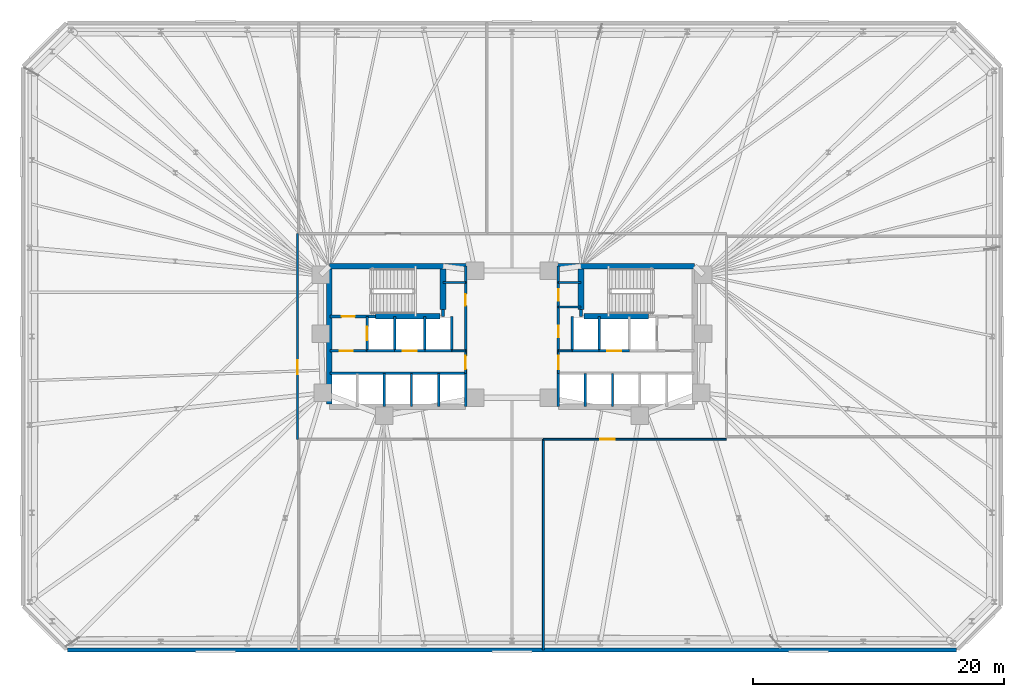
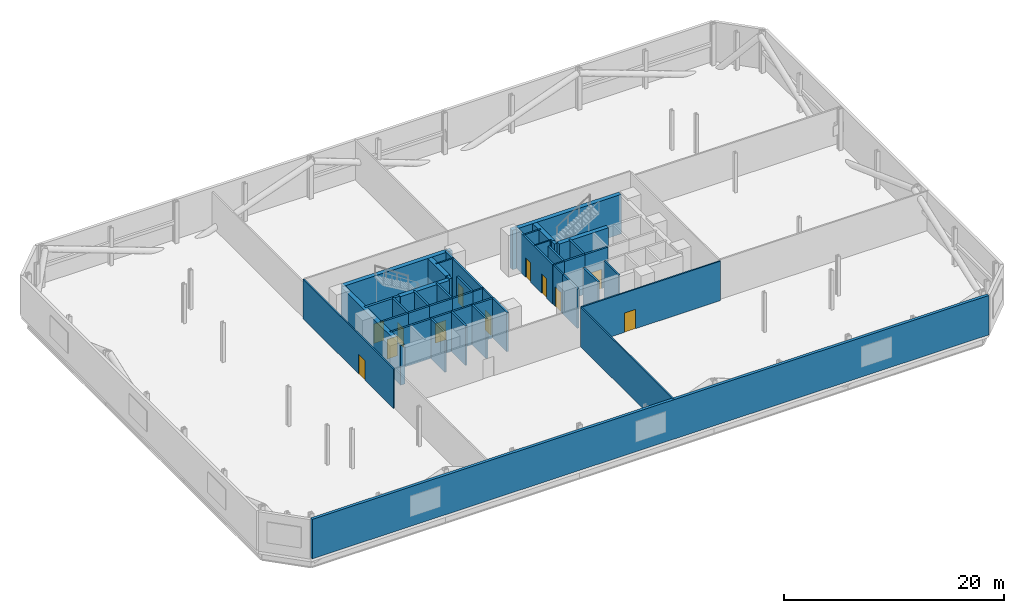
# One storey, part 14 of 17: 43 walls, 12 doors, 12 openings.
"""IFC4 building model written with IfcOpenShell, lengths in metres."""

from ifc_helpers import new_model, si_unit, direction, frame, frame_2d, origin, place, context, subcontext, project, spatial, rectangle, extrude, material, layer, layer_set, type_object, element, fill, save


model = new_model("IFC4")

# Units and contexts
model_context = context("Model", 3, precision=1e-05, world=origin(), true_north=direction((0.0, 1.0)))
body_context = subcontext(model_context, "Body", "Model", "MODEL_VIEW")
ifc_project = project(units=[si_unit("LENGTHUNIT", "METRE"), si_unit("AREAUNIT", "SQUARE_METRE"), si_unit("VOLUMEUNIT", "CUBIC_METRE"), si_unit("PLANEANGLEUNIT", "RADIAN"), si_unit("MASSUNIT", "GRAM", prefix="KILO")], contexts=[model_context])

# Site, building, storey
site_placement = place(None, origin())
site = spatial("IfcSite", under=ifc_project, at=site_placement, CompositionType="ELEMENT")
building_placement = place(site_placement, origin())
building = spatial("IfcBuilding", under=site, at=building_placement, Name="Menara Jurai Vektor", CompositionType="ELEMENT")
storey_placement = place(building_placement, frame((0.0, 0.0, 9.60009765625)))
storey = spatial("IfcBuildingStorey", under=building, at=storey_placement, Name="L01", CompositionType="ELEMENT", Elevation=9.60009765625)

# Wall
ifc_material_1 = material(Name="Insulated Pale Aluminium Spandrel Wall", Category="aluminium")
ifc_layer_1 = layer(ifc_material_1, 0.300048828125)
ifc_layer_set_1 = layer_set([ifc_layer_1], Name="Insulated Pale Aluminium Spandrel Wall")
wall_type_1 = type_object("IfcWallType", Name="ENV-WALL-EXT300", PredefinedType="STANDARD", material=ifc_layer_set_1)
wall_1_placement = place(storey_placement, frame((-35.455078125, -25.0, 0.0), z_axis=(0.0, 0.0, 1.0), x_axis=(1.0, 0.0, 0.0)))
element("IfcWall", 1, at=wall_1_placement, inside=storey, type_object=wall_type_1, Name="Plant Floor Enclosure Wall L01-01", PredefinedType="STANDARD", context=body_context, shape_type="SweptSolid", body=[
    extrude(rectangle(XDim=70.91015625, YDim=0.300048828125, at=frame_2d((35.455078125, 0.0))), origin(), (0.0, 0.0, 1.0), 4.375),
])

# Wall, opening, door
ifc_material_2 = material(Name="Concrete C40/50", Category="concrete")
ifc_layer_2 = layer(ifc_material_2, 0.25)
ifc_layer_set_2 = layer_set([ifc_layer_2], Name="Concrete C40/50")
wall_type_2 = type_object("IfcWallType", Name="INT-WALL-CORE-250", PredefinedType="STANDARD", material=ifc_layer_set_2)
wall_2_placement = place(storey_placement, frame((-14.5, 1.60009765625, 0.0), z_axis=(0.0, 0.0, 1.0), x_axis=(1.0, 0.0, 0.0)))
wall_2 = element("IfcWall", 2, at=wall_2_placement, inside=storey, type_object=wall_type_2, Name="Interior Wall IW-250 L01", PredefinedType="STANDARD", context=body_context, shape_type="SweptSolid", body=[
    extrude(rectangle(XDim=3.60009765625, YDim=0.25, at=frame_2d((1.800048828125, 0.0))), origin(), (0.0, 0.0, 1.0), 4.375),
])
opening_1_placement = place(wall_2_placement, frame((0.919921875, 0.0, 0.0)))
opening_1 = element("IfcOpeningElement", 3, at=opening_1_placement, cuts=wall_2, Name="Opening D-L01-ST1", PredefinedType="OPENING", context=body_context, shape_type="SweptSolid", body=[
    extrude(rectangle(XDim=1.050048828125, YDim=2.14990234375, at=frame_2d((0.52490234375, 1.074951171875))), frame((0.0, 0.135009765625, 0.0), z_axis=(0.0, -1.0, 0.0), x_axis=(1.0, 0.0, 0.0)), (0.0, 0.0, 1.0), 0.27001953125),
])
ifc_material_3 = material(Name="Fire-Rated Steel Door", Category="steel")
door_type_1 = type_object("IfcDoorType", Name="DR-STAIR-1050", OperationType="NOTDEFINED", PredefinedType="DOOR", material=ifc_material_3)
door_1_placement = place(opening_1_placement, origin())
door_1 = element("IfcDoor", 4, at=door_1_placement, inside=storey, type_object=door_type_1, Name="Exit Stair ST1 Door L01", OperationType="SINGLE_SWING_RIGHT", OverallHeight=2.14990234375, OverallWidth=1.050048828125, PredefinedType="DOOR", context=body_context, shape_type="SweptSolid", body=[
    extrude(rectangle(XDim=1.050048828125, YDim=2.14990234375, at=frame_2d((0.52490234375, 1.074951171875))), frame((0.0, 0.02490234375, 0.0), z_axis=(0.0, -1.0, 0.0), x_axis=(1.0, 0.0, 0.0)), (0.0, 0.0, 1.0), 0.050048828125),
])
fill(opening_1, door_1)

# Wall
wall_3_placement = place(storey_placement, frame((-5.5, 1.60009765625, 0.0), z_axis=(0.0, 0.0, 1.0), x_axis=(0.0, 1.0, 0.0)))
element("IfcWall", 5, at=wall_3_placement, inside=storey, type_object=wall_type_2, Name="Interior Wall IW-250 L01", PredefinedType="STANDARD", context=body_context, shape_type="SweptSolid", body=[
    extrude(rectangle(XDim=0.5498046875, YDim=0.25, at=frame_2d((0.27490234375, 0.0))), origin(), (0.0, 0.0, 1.0), 4.375),
])

# Wall, opening, door
wall_4_placement = place(storey_placement, frame((-11.550048828125, -1.14990234375, 0.0), z_axis=(0.0, 0.0, 1.0), x_axis=(0.0, 1.0, 0.0)))
wall_4 = element("IfcWall", 6, at=wall_4_placement, inside=storey, type_object=wall_type_2, Name="Interior Wall IW-250 L01", PredefinedType="STANDARD", context=body_context, shape_type="SweptSolid", body=[
    extrude(rectangle(XDim=2.75, YDim=0.199951171875, at=frame_2d((1.375, 0.0))), origin(), (0.0, 0.0, 1.0), 4.375),
])
opening_2_placement = place(wall_4_placement, frame((0.824951171875, 0.0, 0.0)))
opening_2 = element("IfcOpeningElement", 7, at=opening_2_placement, cuts=wall_4, Name="Opening LD-L01-FL1", PredefinedType="OPENING", context=body_context, shape_type="SweptSolid", body=[
    extrude(rectangle(XDim=1.10009765625, YDim=2.14990234375, at=frame_2d((0.550048828125, 1.074951171875))), frame((0.0, 0.10986328125, 0.0), z_axis=(0.0, -1.0, 0.0), x_axis=(1.0, 0.0, 0.0)), (0.0, 0.0, 1.0), 0.219970703125),
])
ifc_material_4 = material(Name="Stainless Steel Sliding Lift Landing Door", Category="steel")
door_type_2 = type_object("IfcDoorType", Name="DR-LIFT-FIRE-1100", OperationType="NOTDEFINED", PredefinedType="DOOR", material=ifc_material_4)
door_2_placement = place(opening_2_placement, origin())
door_2 = element("IfcDoor", 8, at=door_2_placement, inside=storey, type_object=door_type_2, Name="Lift Landing Door FL1 L01", OperationType="SLIDING_TO_RIGHT", OverallHeight=2.14990234375, OverallWidth=1.10009765625, PredefinedType="DOOR", context=body_context, shape_type="SweptSolid", body=[
    extrude(rectangle(XDim=1.10009765625, YDim=2.14990234375, at=frame_2d((0.550048828125, 1.074951171875))), frame((0.0, 0.02490234375, 0.0), z_axis=(0.0, -1.0, 0.0), x_axis=(1.0, 0.0, 0.0)), (0.0, 0.0, 1.0), 0.050048828125),
])
fill(opening_2, door_2)

# Wall
wall_5_placement = place(storey_placement, frame((-9.35009765625, -1.14990234375, 0.0), z_axis=(0.0, 0.0, 1.0), x_axis=(0.0, 1.0, 0.0)))
element("IfcWall", 9, at=wall_5_placement, inside=storey, type_object=wall_type_2, Name="Interior Wall IW-250 L01", PredefinedType="STANDARD", context=body_context, shape_type="SweptSolid", body=[
    extrude(rectangle(XDim=2.75, YDim=0.199951171875, at=frame_2d((1.375, 0.0))), origin(), (0.0, 0.0, 1.0), 4.375),
])

# Wall, opening, door
wall_6_placement = place(storey_placement, frame((-14.5, -1.14990234375, 0.0), z_axis=(0.0, 0.0, 1.0), x_axis=(1.0, 0.0, 0.0)))
wall_6 = element("IfcWall", 10, at=wall_6_placement, inside=storey, type_object=wall_type_2, Name="Interior Wall IW-250 L01", PredefinedType="STANDARD", context=body_context, shape_type="SweptSolid", body=[
    extrude(rectangle(XDim=2.949951171875, YDim=0.199951171875, at=frame_2d((1.47509765625, 0.0))), origin(), (0.0, 0.0, 1.0), 4.375),
])
opening_3_placement = place(wall_6_placement, frame((0.75, 0.0, 0.0)))
opening_3 = element("IfcOpeningElement", 11, at=opening_3_placement, cuts=wall_6, Name="Opening D-L01-FFW", PredefinedType="OPENING", context=body_context, shape_type="SweptSolid", body=[
    extrude(rectangle(XDim=1.050048828125, YDim=2.179931640625, at=frame_2d((0.52490234375, 1.08984375))), frame((0.0, 0.10986328125, 0.0), z_axis=(0.0, -1.0, 0.0), x_axis=(1.0, 0.0, 0.0)), (0.0, 0.0, 1.0), 0.219970703125),
])
ifc_material_5 = material(Name="Fire-Rated Timber Door", Category="wood")
door_type_3 = type_object("IfcDoorType", Name="DR-LOBBY-1050", OperationType="NOTDEFINED", PredefinedType="DOOR", material=ifc_material_5)
door_3_placement = place(opening_3_placement, origin())
door_3 = element("IfcDoor", 12, at=door_3_placement, inside=storey, type_object=door_type_3, Name="Fire Lift Lobby Door W L01", OperationType="SINGLE_SWING_RIGHT", OverallHeight=2.179931640625, OverallWidth=1.050048828125, PredefinedType="DOOR", context=body_context, shape_type="SweptSolid", body=[
    extrude(rectangle(XDim=1.050048828125, YDim=2.179931640625, at=frame_2d((0.52490234375, 1.08984375))), frame((0.0, 0.02490234375, 0.0), z_axis=(0.0, -1.0, 0.0), x_axis=(1.0, 0.0, 0.0)), (0.0, 0.0, 1.0), 0.050048828125),
])
fill(opening_3, door_3)

# Walls
wall_7_placement = place(storey_placement, frame((-11.550048828125, -1.14990234375, 0.0), z_axis=(0.0, 0.0, 1.0), x_axis=(1.0, 0.0, 0.0)))
element("IfcWall", 13, at=wall_7_placement, inside=storey, type_object=wall_type_2, Name="Interior Wall IW-250 L01", PredefinedType="STANDARD", context=body_context, shape_type="SweptSolid", body=[
    extrude(rectangle(XDim=2.199951171875, YDim=0.199951171875, at=frame_2d((1.10009765625, 0.0))), origin(), (0.0, 0.0, 1.0), 4.375),
])
wall_8_placement = place(storey_placement, frame((5.5, 1.60009765625, 0.0), z_axis=(0.0, 0.0, 1.0), x_axis=(0.0, 1.0, 0.0)))
element("IfcWall", 14, at=wall_8_placement, inside=storey, type_object=wall_type_2, Name="Interior Wall IW-250 L01", PredefinedType="STANDARD", context=body_context, shape_type="SweptSolid", body=[
    extrude(rectangle(XDim=0.5498046875, YDim=0.25, at=frame_2d((0.27490234375, 0.0))), origin(), (0.0, 0.0, 1.0), 4.375),
])

# Wall, opening, door
ifc_material_6 = material(Name="Gypsum Fireboard Partition", Category="gypsum")
ifc_layer_3 = layer(ifc_material_6, 0.14990234375)
ifc_layer_set_3 = layer_set([ifc_layer_3], Name="Gypsum Fireboard Partition")
wall_type_3 = type_object("IfcWallType", Name="INT-WALL-CORR-150", PredefinedType="PARTITIONING", material=ifc_layer_set_3)
wall_9_placement = place(storey_placement, frame((-3.699951171875, -2.949951171875, 0.0), z_axis=(0.0, 0.0, 1.0), x_axis=(0.0, 1.0, 0.0)))
wall_9 = element("IfcWall", 15, at=wall_9_placement, inside=storey, type_object=wall_type_3, Name="Interior Wall IW-150 L01", PredefinedType="PARTITIONING", context=body_context, shape_type="SweptSolid", body=[
    extrude(rectangle(XDim=1.800048828125, YDim=0.14990234375, at=frame_2d((0.89990234375, 0.0))), origin(), (0.0, 0.0, 1.0), 4.375),
])
opening_4_placement = place(wall_9_placement, frame((0.35009765625, 0.0, 0.0)))
opening_4 = element("IfcOpeningElement", 16, at=opening_4_placement, cuts=wall_9, Name="Opening D-L01-LLW", PredefinedType="OPENING", context=body_context, shape_type="SweptSolid", body=[
    extrude(rectangle(XDim=1.050048828125, YDim=2.179931640625, at=frame_2d((0.52490234375, 1.08984375))), frame((0.0, 0.0849609375, 0.0), z_axis=(0.0, -1.0, 0.0), x_axis=(1.0, 0.0, 0.0)), (0.0, 0.0, 1.0), 0.169921875),
])
door_4_placement = place(opening_4_placement, origin())
door_4 = element("IfcDoor", 17, at=door_4_placement, inside=storey, type_object=door_type_3, Name="Lift Lobby Corridor Door W L01", OperationType="SINGLE_SWING_LEFT", OverallHeight=2.179931640625, OverallWidth=1.050048828125, PredefinedType="DOOR", context=body_context, shape_type="SweptSolid", body=[
    extrude(rectangle(XDim=1.050048828125, YDim=2.179931640625, at=frame_2d((0.52490234375, 1.08984375))), frame((0.0, 0.02490234375, 0.0), z_axis=(0.0, -1.0, 0.0), x_axis=(1.0, 0.0, 0.0)), (0.0, 0.0, 1.0), 0.050048828125),
])
fill(opening_4, door_4)

# Wall
wall_10_placement = place(storey_placement, frame((-4.7900390625, -1.14990234375, 0.0), z_axis=(0.0, 0.0, 1.0), x_axis=(1.0, 0.0, 0.0)))
element("IfcWall", 18, at=wall_10_placement, inside=storey, type_object=wall_type_3, Name="Interior Wall IW-150 L01", PredefinedType="PARTITIONING", context=body_context, shape_type="SweptSolid", body=[
    extrude(rectangle(XDim=1.090087890625, YDim=0.14990234375, at=frame_2d((0.544921875, 0.0))), origin(), (0.0, 0.0, 1.0), 4.375),
])

# Wall, opening, door
wall_11_placement = place(storey_placement, frame((3.699951171875, -2.949951171875, 0.0), z_axis=(0.0, 0.0, 1.0), x_axis=(0.0, 1.0, 0.0)))
wall_11 = element("IfcWall", 19, at=wall_11_placement, inside=storey, type_object=wall_type_3, Name="Interior Wall IW-150 L01", PredefinedType="PARTITIONING", context=body_context, shape_type="SweptSolid", body=[
    extrude(rectangle(XDim=1.800048828125, YDim=0.14990234375, at=frame_2d((0.89990234375, 0.0))), origin(), (0.0, 0.0, 1.0), 4.375),
])
opening_5_placement = place(wall_11_placement, frame((0.35009765625, 0.0, 0.0)))
opening_5 = element("IfcOpeningElement", 20, at=opening_5_placement, cuts=wall_11, Name="Opening D-L01-LLE", PredefinedType="OPENING", context=body_context, shape_type="SweptSolid", body=[
    extrude(rectangle(XDim=1.050048828125, YDim=2.179931640625, at=frame_2d((0.52490234375, 1.08984375))), frame((0.0, 0.0849609375, 0.0), z_axis=(0.0, -1.0, 0.0), x_axis=(1.0, 0.0, 0.0)), (0.0, 0.0, 1.0), 0.169921875),
])
door_5_placement = place(opening_5_placement, frame((1.050048828125, 0.0, 0.0), z_axis=(0.0, 0.0, 1.0), x_axis=(-1.0, 0.0, 0.0)))
door_5 = element("IfcDoor", 21, at=door_5_placement, inside=storey, type_object=door_type_3, Name="Lift Lobby Corridor Door E L01", OperationType="SINGLE_SWING_RIGHT", OverallHeight=2.179931640625, OverallWidth=1.050048828125, PredefinedType="DOOR", context=body_context, shape_type="SweptSolid", body=[
    extrude(rectangle(XDim=1.050048828125, YDim=2.179931640625, at=frame_2d((0.52490234375, 1.08984375))), frame((0.0, 0.02490234375, 0.0), z_axis=(0.0, -1.0, 0.0), x_axis=(1.0, 0.0, 0.0)), (0.0, 0.0, 1.0), 0.050048828125),
])
fill(opening_5, door_5)

# Walls
wall_12_placement = place(storey_placement, frame((3.699951171875, -1.14990234375, 0.0), z_axis=(0.0, 0.0, 1.0), x_axis=(1.0, 0.0, 0.0)))
element("IfcWall", 22, at=wall_12_placement, inside=storey, type_object=wall_type_3, Name="Interior Wall IW-150 L01", PredefinedType="PARTITIONING", context=body_context, shape_type="SweptSolid", body=[
    extrude(rectangle(XDim=1.090087890625, YDim=0.14990234375, at=frame_2d((0.544921875, 0.0))), origin(), (0.0, 0.0, 1.0), 4.375),
])
for number, where, z_axis, x_axis, name in (
    (23, (-5.5, 4.300048828125, 0.0), (0.0, 0.0, 1.0), (1.0, 0.0, 0.0), "Interior Wall IW-150 L01"),
    (24, (3.699951171875, 4.300048828125, 0.0), (0.0, 0.0, 1.0), (1.0, 0.0, 0.0), "Interior Wall IW-150 L01"),
    (25, (3.699951171875, 2.35009765625, 0.0), (0.0, 0.0, 1.0), (1.0, 0.0, 0.0), "Interior Wall IW-150 L01"),
):
    element("IfcWall", number, at=place(storey_placement, frame(where, z_axis=z_axis, x_axis=x_axis)), inside=storey, type_object=wall_type_3, Name=name, PredefinedType="PARTITIONING", context=body_context, shape_type="SweptSolid", body=[
        extrude(rectangle(XDim=1.800048828125, YDim=0.14990234375, at=frame_2d((0.89990234375, 0.0))), origin(), (0.0, 0.0, 1.0), 4.375),
    ])

# Wall, opening, door
wall_13_placement = place(storey_placement, frame((2.5, -8.199951171875, 0.0), z_axis=(0.0, 0.0, 1.0), x_axis=(1.0, 0.0, 0.0)))
wall_13 = element("IfcWall", 26, at=wall_13_placement, inside=storey, type_object=wall_type_3, Name="Interior Wall IW-150 L01", PredefinedType="PARTITIONING", context=body_context, shape_type="SweptSolid", body=[
    extrude(rectangle(XDim=14.60009765625, YDim=0.14990234375, at=frame_2d((7.300048828125, 0.0))), origin(), (0.0, 0.0, 1.0), 4.375),
])
opening_6_placement = place(wall_13_placement, frame((4.534912109375, 0.0, 0.0)))
opening_6 = element("IfcOpeningElement", 27, at=opening_6_placement, cuts=wall_13, Name="Opening D01-07", PredefinedType="OPENING", context=body_context, shape_type="SweptSolid", body=[
    extrude(rectangle(XDim=1.14990234375, YDim=2.14990234375, at=frame_2d((0.574951171875, 1.074951171875))), frame((0.0, 0.0849609375, 0.0), z_axis=(0.0, -1.0, 0.0), x_axis=(1.0, 0.0, 0.0)), (0.0, 0.0, 1.0), 0.169921875),
])
ifc_material_7 = material(Name="Fire-Rated Steel Plant Door", Category="steel")
door_type_4 = type_object("IfcDoorType", Name="DR-PLANT-1150", OperationType="NOTDEFINED", PredefinedType="DOOR", material=ifc_material_7)
door_6_placement = place(opening_6_placement, origin())
door_6 = element("IfcDoor", 28, at=door_6_placement, inside=storey, type_object=door_type_4, Name="Interior Door D01-07", OperationType="SINGLE_SWING_RIGHT", OverallHeight=2.14990234375, OverallWidth=1.14990234375, PredefinedType="DOOR", context=body_context, shape_type="SweptSolid", body=[
    extrude(rectangle(XDim=1.14990234375, YDim=2.14990234375, at=frame_2d((0.574951171875, 1.074951171875))), frame((0.0, 0.02490234375, 0.0), z_axis=(0.0, -1.0, 0.0), x_axis=(1.0, 0.0, 0.0)), (0.0, 0.0, 1.0), 0.050048828125),
])
fill(opening_6, door_6)

wall_14_placement = place(storey_placement, frame((-17.10009765625, -8.199951171875, 0.0), z_axis=(0.0, 0.0, 1.0), x_axis=(0.0, 1.0, 0.0)))
wall_14 = element("IfcWall", 29, at=wall_14_placement, inside=storey, type_object=wall_type_3, Name="Interior Wall IW-150 L01", PredefinedType="PARTITIONING", context=body_context, shape_type="SweptSolid", body=[
    extrude(rectangle(XDim=16.39990234375, YDim=0.14990234375, at=frame_2d((8.199951171875, 0.0))), origin(), (0.0, 0.0, 1.0), 4.375),
])
opening_7_placement = place(wall_14_placement, frame((5.1650390625, 0.0, 0.0)))
opening_7 = element("IfcOpeningElement", 30, at=opening_7_placement, cuts=wall_14, Name="Opening D01-08", PredefinedType="OPENING", context=body_context, shape_type="SweptSolid", body=[
    extrude(rectangle(XDim=1.14990234375, YDim=2.14990234375, at=frame_2d((0.574951171875, 1.074951171875))), frame((0.0, 0.0849609375, 0.0), z_axis=(0.0, -1.0, 0.0), x_axis=(1.0, 0.0, 0.0)), (0.0, 0.0, 1.0), 0.169921875),
])
door_7_placement = place(opening_7_placement, origin())
door_7 = element("IfcDoor", 31, at=door_7_placement, inside=storey, type_object=door_type_4, Name="Interior Door D01-08", OperationType="SINGLE_SWING_LEFT", OverallHeight=2.14990234375, OverallWidth=1.14990234375, PredefinedType="DOOR", context=body_context, shape_type="SweptSolid", body=[
    extrude(rectangle(XDim=1.14990234375, YDim=2.14990234375, at=frame_2d((0.574951171875, 1.074951171875))), frame((0.0, 0.02490234375, 0.0), z_axis=(0.0, -1.0, 0.0), x_axis=(1.0, 0.0, 0.0)), (0.0, 0.0, 1.0), 0.050048828125),
])
fill(opening_7, door_7)

# Wall
wall_15_placement = place(storey_placement, frame((2.5, -25.0, 0.0), z_axis=(0.0, 0.0, 1.0), x_axis=(0.0, 1.0, 0.0)))
element("IfcWall", 32, at=wall_15_placement, inside=storey, type_object=wall_type_3, Name="Interior Wall IW-150 L01", PredefinedType="PARTITIONING", context=body_context, shape_type="SweptSolid", body=[
    extrude(rectangle(XDim=16.800048828125, YDim=0.14990234375, at=frame_2d((8.39990234375, 0.0))), origin(), (0.0, 0.0, 1.0), 4.375),
])

# Wall, opening, door
ifc_layer_4 = layer(ifc_material_2, 0.199951171875)
ifc_layer_set_4 = layer_set([ifc_layer_4], Name="Concrete C40/50")
wall_type_4 = type_object("IfcWallType", Name="INT-WALL-SHAFT-200", PredefinedType="STANDARD", material=ifc_layer_set_4)
wall_16_placement = place(storey_placement, frame((-3.699951171875, -1.14990234375, 0.0), z_axis=(0.0, 0.0, 1.0), x_axis=(0.0, 1.0, 0.0)))
wall_16 = element("IfcWall", 33, at=wall_16_placement, inside=storey, type_object=wall_type_4, Name="Interior Wall IW-200 L01", PredefinedType="STANDARD", context=body_context, shape_type="SweptSolid", body=[
    extrude(rectangle(XDim=6.75, YDim=0.199951171875, at=frame_2d((3.375, 0.0))), origin(), (0.0, 0.0, 1.0), 4.375),
])
opening_8_placement = place(wall_16_placement, frame((3.60009765625, 0.0, 0.0)))
opening_8 = element("IfcOpeningElement", 34, at=opening_8_placement, cuts=wall_16, Name="Opening D01-01", PredefinedType="OPENING", context=body_context, shape_type="SweptSolid", body=[
    extrude(rectangle(XDim=0.919921875, YDim=2.14990234375, at=frame_2d((0.4599609375, 1.074951171875))), frame((0.0, 0.10986328125, 0.0), z_axis=(0.0, -1.0, 0.0), x_axis=(1.0, 0.0, 0.0)), (0.0, 0.0, 1.0), 0.219970703125),
])
ifc_material_8 = material(Name="Solid Core Timber Fire Door", Category="wood")
door_type_5 = type_object("IfcDoorType", Name="DR-ENTRY-950", OperationType="NOTDEFINED", PredefinedType="DOOR", material=ifc_material_8)
door_8_placement = place(opening_8_placement, origin())
door_8 = element("IfcDoor", 35, at=door_8_placement, inside=storey, type_object=door_type_5, Name="Interior Door D01-01", OperationType="SINGLE_SWING_LEFT", OverallHeight=2.14990234375, OverallWidth=0.919921875, PredefinedType="DOOR", context=body_context, shape_type="SweptSolid", body=[
    extrude(rectangle(XDim=0.919921875, YDim=2.14990234375, at=frame_2d((0.4599609375, 1.074951171875))), frame((0.0, 0.02490234375, 0.0), z_axis=(0.0, -1.0, 0.0), x_axis=(1.0, 0.0, 0.0)), (0.0, 0.0, 1.0), 0.050048828125),
])
fill(opening_8, door_8)

# Walls
wall_17_placement = place(storey_placement, frame((-3.699951171875, -5.60009765625, 0.0), z_axis=(0.0, 0.0, 1.0), x_axis=(0.0, 1.0, 0.0)))
element("IfcWall", 36, at=wall_17_placement, inside=storey, type_object=wall_type_4, Name="Interior Wall IW-200 L01", PredefinedType="STANDARD", context=body_context, shape_type="SweptSolid", body=[
    extrude(rectangle(XDim=2.650146484375, YDim=0.199951171875, at=frame_2d((1.3251953125, 0.0))), origin(), (0.0, 0.0, 1.0), 4.375),
])
wall_18_placement = place(storey_placement, frame((-6.949951171875, -1.14990234375, 0.0), z_axis=(0.0, 0.0, 1.0), x_axis=(0.0, 1.0, 0.0)))
element("IfcWall", 37, at=wall_18_placement, inside=storey, type_object=wall_type_4, Name="Interior Wall IW-200 L01", PredefinedType="STANDARD", context=body_context, shape_type="SweptSolid", body=[
    extrude(rectangle(XDim=2.75, YDim=0.199951171875, at=frame_2d((1.375, 0.0))), origin(), (0.0, 0.0, 1.0), 4.375),
])

# Wall, opening, door
wall_19_placement = place(storey_placement, frame((-9.35009765625, -1.14990234375, 0.0), z_axis=(0.0, 0.0, 1.0), x_axis=(1.0, 0.0, 0.0)))
wall_19 = element("IfcWall", 38, at=wall_19_placement, inside=storey, type_object=wall_type_4, Name="Interior Wall IW-200 L01", PredefinedType="STANDARD", context=body_context, shape_type="SweptSolid", body=[
    extrude(rectangle(XDim=2.400146484375, YDim=0.199951171875, at=frame_2d((1.2001953125, 0.0))), origin(), (0.0, 0.0, 1.0), 4.375),
])
opening_9_placement = place(wall_19_placement, frame((0.64990234375, 0.0, 0.0)))
opening_9 = element("IfcOpeningElement", 39, at=opening_9_placement, cuts=wall_19, Name="Opening LD-L01-SVL1", PredefinedType="OPENING", context=body_context, shape_type="SweptSolid", body=[
    extrude(rectangle(XDim=1.10009765625, YDim=2.14990234375, at=frame_2d((0.550048828125, 1.074951171875))), frame((0.0, 0.10986328125, 0.0), z_axis=(0.0, -1.0, 0.0), x_axis=(1.0, 0.0, 0.0)), (0.0, 0.0, 1.0), 0.219970703125),
])
ifc_material_9 = material(Name="Anodised Stainless Sliding Lift Landing Door", Category="steel")
door_type_6 = type_object("IfcDoorType", Name="DR-LIFT-PASS-1100", OperationType="NOTDEFINED", PredefinedType="DOOR", material=ifc_material_9)
door_9_placement = place(opening_9_placement, origin())
door_9 = element("IfcDoor", 40, at=door_9_placement, inside=storey, type_object=door_type_6, Name="Lift Landing Door SVL1 L01", OperationType="SLIDING_TO_RIGHT", OverallHeight=2.14990234375, OverallWidth=1.10009765625, PredefinedType="DOOR", context=body_context, shape_type="SweptSolid", body=[
    extrude(rectangle(XDim=1.10009765625, YDim=2.14990234375, at=frame_2d((0.550048828125, 1.074951171875))), frame((0.0, 0.02490234375, 0.0), z_axis=(0.0, -1.0, 0.0), x_axis=(1.0, 0.0, 0.0)), (0.0, 0.0, 1.0), 0.050048828125),
])
fill(opening_9, door_9)

# Walls
wall_20_placement = place(storey_placement, frame((-4.7900390625, -1.14990234375, 0.0), z_axis=(0.0, 0.0, 1.0), x_axis=(0.0, 1.0, 0.0)))
element("IfcWall", 41, at=wall_20_placement, inside=storey, type_object=wall_type_4, Name="Interior Wall IW-200 L01", PredefinedType="STANDARD", context=body_context, shape_type="SweptSolid", body=[
    extrude(rectangle(XDim=2.75, YDim=0.199951171875, at=frame_2d((1.375, 0.0))), origin(), (0.0, 0.0, 1.0), 4.375),
])
wall_21_placement = place(storey_placement, frame((-6.949951171875, -1.14990234375, 0.0), z_axis=(0.0, 0.0, 1.0), x_axis=(1.0, 0.0, 0.0)))
element("IfcWall", 42, at=wall_21_placement, inside=storey, type_object=wall_type_4, Name="Interior Wall IW-200 L01", PredefinedType="STANDARD", context=body_context, shape_type="SweptSolid", body=[
    extrude(rectangle(XDim=2.159912109375, YDim=0.199951171875, at=frame_2d((1.080078125, 0.0))), origin(), (0.0, 0.0, 1.0), 4.375),
])
wall_22_placement = place(storey_placement, frame((-14.5, -2.949951171875, 0.0), z_axis=(0.0, 0.0, 1.0), x_axis=(1.0, 0.0, 0.0)))
element("IfcWall", 43, at=wall_22_placement, inside=storey, type_object=wall_type_4, Name="Interior Wall IW-200 L01", PredefinedType="STANDARD", context=body_context, shape_type="SweptSolid", body=[
    extrude(rectangle(XDim=10.800048828125, YDim=0.199951171875, at=frame_2d((5.39990234375, 0.0))), origin(), (0.0, 0.0, 1.0), 4.375),
])
wall_23_placement = place(storey_placement, frame((-5.860107421875, -5.60009765625, 0.0), z_axis=(0.0, 0.0, 1.0), x_axis=(0.0, 1.0, 0.0)))
element("IfcWall", 44, at=wall_23_placement, inside=storey, type_object=wall_type_4, Name="Interior Wall IW-200 L01", PredefinedType="STANDARD", context=body_context, shape_type="SweptSolid", body=[
    extrude(rectangle(XDim=2.650146484375, YDim=0.199951171875, at=frame_2d((1.3251953125, 0.0))), origin(), (0.0, 0.0, 1.0), 4.375),
])
for number, where, z_axis, x_axis, name in (
    (45, (-10.179931640625, -5.60009765625, 0.0), (0.0, 0.0, 1.0), (0.0, 1.0, 0.0), "Interior Wall IW-200 L01"),
    (46, (-8.02001953125, -5.60009765625, 0.0), (0.0, 0.0, 1.0), (0.0, 1.0, 0.0), "Interior Wall IW-200 L01"),
):
    element("IfcWall", number, at=place(storey_placement, frame(where, z_axis=z_axis, x_axis=x_axis)), inside=storey, type_object=wall_type_4, Name=name, PredefinedType="STANDARD", context=body_context, shape_type="SweptSolid", body=[
        extrude(rectangle(XDim=2.650146484375, YDim=0.179931640625, at=frame_2d((1.3251953125, 0.0))), origin(), (0.0, 0.0, 1.0), 4.375),
    ])

# Wall, openings, doors
wall_24_placement = place(storey_placement, frame((3.699951171875, -1.14990234375, 0.0), z_axis=(0.0, 0.0, 1.0), x_axis=(0.0, 1.0, 0.0)))
wall_24 = element("IfcWall", 47, at=wall_24_placement, inside=storey, type_object=wall_type_4, Name="Interior Wall IW-200 L01", PredefinedType="STANDARD", context=body_context, shape_type="SweptSolid", body=[
    extrude(rectangle(XDim=6.75, YDim=0.199951171875, at=frame_2d((3.375, 0.0))), origin(), (0.0, 0.0, 1.0), 4.375),
])
opening_10_placement = place(wall_24_placement, frame((1.10009765625, 0.0, 0.0)))
opening_10 = element("IfcOpeningElement", 48, at=opening_10_placement, cuts=wall_24, Name="Opening D01-02", PredefinedType="OPENING", context=body_context, shape_type="SweptSolid", body=[
    extrude(rectangle(XDim=0.89990234375, YDim=2.14990234375, at=frame_2d((0.449951171875, 1.074951171875))), frame((0.0, 0.10986328125, 0.0), z_axis=(0.0, -1.0, 0.0), x_axis=(1.0, 0.0, 0.0)), (0.0, 0.0, 1.0), 0.219970703125),
])
opening_11_placement = place(wall_24_placement, frame((4.0, 0.0, 0.0)))
opening_11 = element("IfcOpeningElement", 49, at=opening_11_placement, cuts=wall_24, Name="Opening D01-03", PredefinedType="OPENING", context=body_context, shape_type="SweptSolid", body=[
    extrude(rectangle(XDim=0.919921875, YDim=2.14990234375, at=frame_2d((0.4599609375, 1.074951171875))), frame((0.0, 0.10986328125, 0.0), z_axis=(0.0, -1.0, 0.0), x_axis=(1.0, 0.0, 0.0)), (0.0, 0.0, 1.0), 0.219970703125),
])
door_10_placement = place(opening_10_placement, origin())
door_10 = element("IfcDoor", 50, at=door_10_placement, inside=storey, type_object=door_type_5, Name="Interior Door D01-02", OperationType="SINGLE_SWING_RIGHT", OverallHeight=2.14990234375, OverallWidth=0.89990234375, PredefinedType="DOOR", context=body_context, shape_type="SweptSolid", body=[
    extrude(rectangle(XDim=0.89990234375, YDim=2.14990234375, at=frame_2d((0.449951171875, 1.074951171875))), frame((0.0, 0.02490234375, 0.0), z_axis=(0.0, -1.0, 0.0), x_axis=(1.0, 0.0, 0.0)), (0.0, 0.0, 1.0), 0.050048828125),
])
fill(opening_10, door_10)
door_11_placement = place(opening_11_placement, origin())
door_11 = element("IfcDoor", 51, at=door_11_placement, inside=storey, type_object=door_type_5, Name="Interior Door D01-03", OperationType="SINGLE_SWING_RIGHT", OverallHeight=2.14990234375, OverallWidth=0.919921875, PredefinedType="DOOR", context=body_context, shape_type="SweptSolid", body=[
    extrude(rectangle(XDim=0.919921875, YDim=2.14990234375, at=frame_2d((0.4599609375, 1.074951171875))), frame((0.0, 0.02490234375, 0.0), z_axis=(0.0, -1.0, 0.0), x_axis=(1.0, 0.0, 0.0)), (0.0, 0.0, 1.0), 0.050048828125),
])
fill(opening_11, door_11)

# Walls
wall_25_placement = place(storey_placement, frame((3.699951171875, -5.60009765625, 0.0), z_axis=(0.0, 0.0, 1.0), x_axis=(0.0, 1.0, 0.0)))
element("IfcWall", 52, at=wall_25_placement, inside=storey, type_object=wall_type_4, Name="Interior Wall IW-200 L01", PredefinedType="STANDARD", context=body_context, shape_type="SweptSolid", body=[
    extrude(rectangle(XDim=2.650146484375, YDim=0.199951171875, at=frame_2d((1.3251953125, 0.0))), origin(), (0.0, 0.0, 1.0), 4.375),
])
wall_26_placement = place(storey_placement, frame((6.949951171875, -1.14990234375, 0.0), z_axis=(0.0, 0.0, 1.0), x_axis=(0.0, 1.0, 0.0)))
element("IfcWall", 53, at=wall_26_placement, inside=storey, type_object=wall_type_4, Name="Interior Wall IW-200 L01", PredefinedType="STANDARD", context=body_context, shape_type="SweptSolid", body=[
    extrude(rectangle(XDim=2.75, YDim=0.199951171875, at=frame_2d((1.375, 0.0))), origin(), (0.0, 0.0, 1.0), 4.375),
])

# Wall, opening, door
wall_27_placement = place(storey_placement, frame((6.949951171875, -1.14990234375, 0.0), z_axis=(0.0, 0.0, 1.0), x_axis=(1.0, 0.0, 0.0)))
wall_27 = element("IfcWall", 54, at=wall_27_placement, inside=storey, type_object=wall_type_4, Name="Interior Wall IW-200 L01", PredefinedType="STANDARD", context=body_context, shape_type="SweptSolid", body=[
    extrude(rectangle(XDim=2.400146484375, YDim=0.199951171875, at=frame_2d((1.2001953125, 0.0))), origin(), (0.0, 0.0, 1.0), 4.375),
])
opening_12_placement = place(wall_27_placement, frame((0.64990234375, 0.0, 0.0)))
opening_12 = element("IfcOpeningElement", 55, at=opening_12_placement, cuts=wall_27, Name="Opening LD-L01-SVL2", PredefinedType="OPENING", context=body_context, shape_type="SweptSolid", body=[
    extrude(rectangle(XDim=1.10009765625, YDim=2.14990234375, at=frame_2d((0.550048828125, 1.074951171875))), frame((0.0, 0.10986328125, 0.0), z_axis=(0.0, -1.0, 0.0), x_axis=(1.0, 0.0, 0.0)), (0.0, 0.0, 1.0), 0.219970703125),
])
door_12_placement = place(opening_12_placement, origin())
door_12 = element("IfcDoor", 56, at=door_12_placement, inside=storey, type_object=door_type_6, Name="Lift Landing Door SVL2 L01", OperationType="SLIDING_TO_RIGHT", OverallHeight=2.14990234375, OverallWidth=1.10009765625, PredefinedType="DOOR", context=body_context, shape_type="SweptSolid", body=[
    extrude(rectangle(XDim=1.10009765625, YDim=2.14990234375, at=frame_2d((0.550048828125, 1.074951171875))), frame((0.0, 0.02490234375, 0.0), z_axis=(0.0, -1.0, 0.0), x_axis=(1.0, 0.0, 0.0)), (0.0, 0.0, 1.0), 0.050048828125),
])
fill(opening_12, door_12)

# Walls
wall_28_placement = place(storey_placement, frame((4.7900390625, -1.14990234375, 0.0), z_axis=(0.0, 0.0, 1.0), x_axis=(0.0, 1.0, 0.0)))
element("IfcWall", 57, at=wall_28_placement, inside=storey, type_object=wall_type_4, Name="Interior Wall IW-200 L01", PredefinedType="STANDARD", context=body_context, shape_type="SweptSolid", body=[
    extrude(rectangle(XDim=2.75, YDim=0.199951171875, at=frame_2d((1.375, 0.0))), origin(), (0.0, 0.0, 1.0), 4.375),
])
wall_29_placement = place(storey_placement, frame((4.7900390625, -1.14990234375, 0.0), z_axis=(0.0, 0.0, 1.0), x_axis=(1.0, 0.0, 0.0)))
element("IfcWall", 58, at=wall_29_placement, inside=storey, type_object=wall_type_4, Name="Interior Wall IW-200 L01", PredefinedType="STANDARD", context=body_context, shape_type="SweptSolid", body=[
    extrude(rectangle(XDim=2.159912109375, YDim=0.199951171875, at=frame_2d((1.080078125, 0.0))), origin(), (0.0, 0.0, 1.0), 4.375),
])
wall_30_placement = place(storey_placement, frame((5.860107421875, -5.60009765625, 0.0), z_axis=(0.0, 0.0, 1.0), x_axis=(0.0, 1.0, 0.0)))
element("IfcWall", 59, at=wall_30_placement, inside=storey, type_object=wall_type_4, Name="Interior Wall IW-200 L01", PredefinedType="STANDARD", context=body_context, shape_type="SweptSolid", body=[
    extrude(rectangle(XDim=2.650146484375, YDim=0.199951171875, at=frame_2d((1.3251953125, 0.0))), origin(), (0.0, 0.0, 1.0), 4.375),
])
wall_31_placement = place(storey_placement, frame((8.02001953125, -5.60009765625, 0.0), z_axis=(0.0, 0.0, 1.0), x_axis=(0.0, 1.0, 0.0)))
element("IfcWall", 60, at=wall_31_placement, inside=storey, type_object=wall_type_4, Name="Interior Wall IW-200 L01", PredefinedType="STANDARD", context=body_context, shape_type="SweptSolid", body=[
    extrude(rectangle(XDim=2.650146484375, YDim=0.179931640625, at=frame_2d((1.3251953125, 0.0))), origin(), (0.0, 0.0, 1.0), 4.375),
])
ifc_material_10 = material(Name="Concrete C60/75", Category="concrete")
ifc_layer_5 = layer(ifc_material_10, 0.449951171875)
ifc_layer_set_5 = layer_set([ifc_layer_5], Name="Concrete C60/75")
wall_type_5 = type_object("IfcWallType", Name="STR-WALL-CORE450", PredefinedType="SHEAR", material=ifc_layer_set_5)
wall_32_placement = place(storey_placement, frame((-14.56005859375, 5.60009765625, 0.0), z_axis=(0.0, 0.0, 1.0), x_axis=(1.0, 0.0, 0.0)))
element("IfcWall", 61, at=wall_32_placement, inside=storey, type_object=wall_type_5, Name="Core Shear Wall CW-W-N L01", PredefinedType="SHEAR", context=body_context, shape_type="SweptSolid", body=[
    extrude(rectangle(XDim=11.41015625, YDim=0.449951171875, at=frame_2d((5.705078125, 0.0))), origin(), (0.0, 0.0, 1.0), 4.375),
])
wall_33_placement = place(storey_placement, frame((-14.56005859375, -5.375, 0.0), z_axis=(0.0, 0.0, 1.0), x_axis=(0.0, 1.0, 0.0)))
element("IfcWall", 62, at=wall_33_placement, inside=storey, type_object=wall_type_5, Name="Core Shear Wall CW-W-W L01", PredefinedType="SHEAR", context=body_context, shape_type="SweptSolid", body=[
    extrude(rectangle(XDim=10.75, YDim=0.449951171875, at=frame_2d((5.375, 0.0))), origin(), (0.0, 0.0, 1.0), 4.375),
])
wall_34_placement = place(storey_placement, frame((-5.5, 2.14990234375, 0.0), z_axis=(0.0, 0.0, 1.0), x_axis=(0.0, 1.0, 0.0)))
element("IfcWall", 63, at=wall_34_placement, inside=storey, type_object=wall_type_5, Name="Core Shear Wall CW-W-ST L01", PredefinedType="SHEAR", context=body_context, shape_type="SweptSolid", body=[
    extrude(rectangle(XDim=3.22509765625, YDim=0.449951171875, at=frame_2d((1.612548828125, 0.0))), origin(), (0.0, 0.0, 1.0), 4.375),
])
wall_35_placement = place(storey_placement, frame((-10.89990234375, 1.60009765625, 0.0), z_axis=(0.0, 0.0, 1.0), x_axis=(1.0, 0.0, 0.0)))
element("IfcWall", 64, at=wall_35_placement, inside=storey, type_object=wall_type_5, Name="Core Shear Wall CW-W-STS L01", PredefinedType="SHEAR", context=body_context, shape_type="SweptSolid", body=[
    extrude(rectangle(XDim=5.14990234375, YDim=0.449951171875, at=frame_2d((2.574951171875, 0.0))), origin(), (0.0, 0.0, 1.0), 4.375),
])
wall_36_placement = place(storey_placement, frame((3.14990234375, 5.60009765625, 0.0), z_axis=(0.0, 0.0, 1.0), x_axis=(1.0, 0.0, 0.0)))
element("IfcWall", 65, at=wall_36_placement, inside=storey, type_object=wall_type_5, Name="Core Shear Wall CW-E-N L01", PredefinedType="SHEAR", context=body_context, shape_type="SweptSolid", body=[
    extrude(rectangle(XDim=11.41015625, YDim=0.449951171875, at=frame_2d((5.705078125, 0.0))), origin(), (0.0, 0.0, 1.0), 4.375),
])
wall_37_placement = place(storey_placement, frame((5.5, 2.14990234375, 0.0), z_axis=(0.0, 0.0, 1.0), x_axis=(0.0, 1.0, 0.0)))
element("IfcWall", 66, at=wall_37_placement, inside=storey, type_object=wall_type_5, Name="Core Shear Wall CW-E-ST L01", PredefinedType="SHEAR", context=body_context, shape_type="SweptSolid", body=[
    extrude(rectangle(XDim=3.22509765625, YDim=0.449951171875, at=frame_2d((1.612548828125, 0.0))), origin(), (0.0, 0.0, 1.0), 4.375),
])
wall_38_placement = place(storey_placement, frame((5.75, 1.60009765625, 0.0), z_axis=(0.0, 0.0, 1.0), x_axis=(1.0, 0.0, 0.0)))
element("IfcWall", 67, at=wall_38_placement, inside=storey, type_object=wall_type_5, Name="Core Shear Wall CW-E-STS L01", PredefinedType="SHEAR", context=body_context, shape_type="SweptSolid", body=[
    extrude(rectangle(XDim=5.14990234375, YDim=0.449951171875, at=frame_2d((2.574951171875, 0.0))), origin(), (0.0, 0.0, 1.0), 4.375),
])

save(model, "model.ifc")
